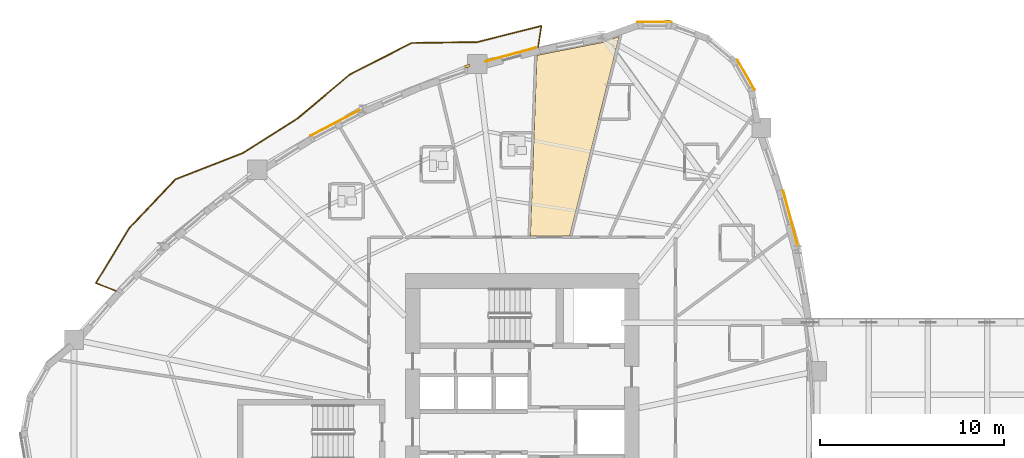
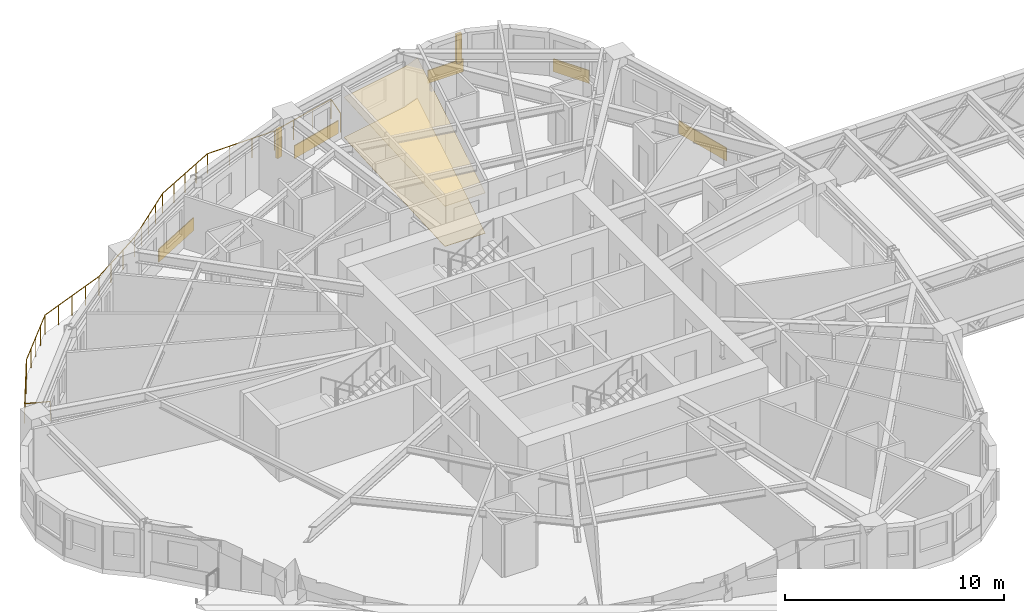
# One storey, part 17 of 18: 7 coverings, 2 shading devices, 1 railing.
"""IFC4 building model written with IfcOpenShell, lengths in metres."""

import ifcopenshell
import ifcopenshell.guid

model = None  # the IFC model being written
_history = None  # IfcOwnerHistory: only IFC2X3 demands one
_inside = {}  # id of a spatial element -> (the spatial element, [elements in it])
_under = {}  # id of a project, library or spatial element -> (it, [spatial elements below it])
_declared = {}  # id of a project -> (the project, [libraries it declares])
_typed = {}  # id of a type object -> (the type object, [elements of that type])
_made_of = {}  # id of a material, layer set ... -> (it, [elements and type objects made of it])


def new_model(schema):
    """Start an empty IFC model of exactly this schema.

    Asked for "IFC4X3", IfcOpenShell would pick the latest addendum, in which some entities
    have other attributes; the version numbers below select the first issue.
    IFC2X3 requires an IfcOwnerHistory on every rooted entity: one is made here for all.
    """
    global model, _history
    if schema == "IFC4X3":
        model = ifcopenshell.file(schema_version=(4, 3, 0, 0))
    else:
        model = ifcopenshell.file(schema=schema)
    _inside.clear()
    _under.clear()
    _declared.clear()
    _typed.clear()
    _made_of.clear()
    _history = None
    if model.schema == "IFC2X3":
        org = make("IfcOrganization", Name="unknown")
        user = make(
            "IfcPersonAndOrganization",
            ThePerson=make("IfcPerson", FamilyName="unknown"),
            TheOrganization=org,
        )
        app = make(
            "IfcApplication",
            ApplicationDeveloper=org,
            Version="unknown",
            ApplicationFullName="unknown",
            ApplicationIdentifier="unknown",
        )
        _history = make(
            "IfcOwnerHistory",
            OwningUser=user,
            OwningApplication=app,
            ChangeAction="ADDED",
            CreationDate=0,
        )
    return model


def make(cls, **values):
    """One entity of the class cls with the attributes given. An attribute that is None is left unset."""
    return model.create_entity(
        cls, **{name: value for name, value in values.items() if value is not None}
    )


def rooted(cls, **values):
    """An entity with a GlobalId (a new one), such as an element, a storey or a relation."""
    return make(cls, GlobalId=ifcopenshell.guid.new(), OwnerHistory=_history, **values)


def si_unit(unit_type, name, prefix=None):
    """IfcSIUnit, for example si_unit("LENGTHUNIT", "METRE", prefix="MILLI")."""
    return make("IfcSIUnit", UnitType=unit_type, Prefix=prefix, Name=name)


def assignment(units):
    """IfcUnitAssignment: the units of a project."""
    return None if units is None else make("IfcUnitAssignment", Units=units)


def point(xyz):
    """IfcCartesianPoint."""
    return None if xyz is None else make("IfcCartesianPoint", Coordinates=xyz)


def direction(xyz):
    """IfcDirection."""
    return None if xyz is None else make("IfcDirection", DirectionRatios=xyz)


def frame(location, z_axis=None, x_axis=None):
    """IfcAxis2Placement3D, a coordinate frame: its origin and axes. An axis left out is left unset."""
    return make(
        "IfcAxis2Placement3D",
        Location=point(location),
        Axis=direction(z_axis),
        RefDirection=direction(x_axis),
    )


def frame_2d(location, x_axis=None):
    """IfcAxis2Placement2D, a coordinate frame in the plane: its origin and x axis."""
    return make(
        "IfcAxis2Placement2D", Location=point(location), RefDirection=direction(x_axis)
    )


def origin():
    """The frame at (0, 0, 0) with its axes left unset."""
    return frame((0.0, 0.0, 0.0))


def origin_2d():
    """The frame at (0, 0) in the plane with its x axis left unset."""
    return frame_2d((0.0, 0.0))


def place(relative_to, where):
    """IfcLocalPlacement: puts the frame where relative to a parent placement (None: the world)."""
    return make(
        "IfcLocalPlacement", PlacementRelTo=relative_to, RelativePlacement=where
    )


def context(
    kind, dimensions, precision=None, world=None, true_north=None, identifier=None
):
    """IfcGeometricRepresentationContext, for example the 3D "Model" context."""
    return make(
        "IfcGeometricRepresentationContext",
        ContextIdentifier=identifier,
        ContextType=kind,
        CoordinateSpaceDimension=dimensions,
        Precision=precision,
        WorldCoordinateSystem=world,
        TrueNorth=true_north,
    )


def subcontext(parent, identifier, kind, view, scale=None):
    """IfcGeometricRepresentationSubContext, for example "Body" below "Model"."""
    return make(
        "IfcGeometricRepresentationSubContext",
        ContextIdentifier=identifier,
        ContextType=kind,
        ParentContext=parent,
        TargetScale=scale,
        TargetView=view,
    )


def project(units=None, contexts=None):
    """IfcProject with its units and contexts."""
    return rooted(
        "IfcProject",
        Name="project",
        RepresentationContexts=contexts,
        UnitsInContext=assignment(units),
    )


def spatial(cls, under=None, at=None, **own):
    """A site, building, storey or space (cls), placed at a placement, below another one or the project."""
    s = rooted(cls, ObjectPlacement=at, **own)
    if under is not None:
        _under.setdefault(under.id(), (under, []))[1].append(s)
    return s


def polyline(points):
    """IfcPolyline through the points."""
    return make("IfcPolyline", Points=[point(p) for p in points])


def profile(cls, at=None, kind="AREA", **sizes):
    """A parametric profile (cls). Its sizes go by their IFC names, for example OverallWidth=200.0."""
    return make(cls, ProfileType=kind, Position=at, **sizes)


def rectangle(**sizes):
    """IfcRectangleProfileDef."""
    return profile("IfcRectangleProfileDef", **sizes)


def circle(**sizes):
    """IfcCircleProfileDef."""
    return profile("IfcCircleProfileDef", **sizes)


def outline(outer, holes=None, kind="AREA"):
    """IfcArbitraryClosedProfileDef: a profile drawn as a closed curve; with holes, ...WithVoids."""
    if holes is None:
        return make("IfcArbitraryClosedProfileDef", ProfileType=kind, OuterCurve=outer)
    return make(
        "IfcArbitraryProfileDefWithVoids",
        ProfileType=kind,
        OuterCurve=outer,
        InnerCurves=holes,
    )


def extrude(swept, where, along, depth):
    """IfcExtrudedAreaSolid: the profile swept, set in the frame where, extruded along a direction by depth."""
    return make(
        "IfcExtrudedAreaSolid",
        SweptArea=swept,
        Position=where,
        ExtrudedDirection=direction(along),
        Depth=depth,
    )


def shape(context_of_items, identifier, shape_type, items):
    """IfcShapeRepresentation: the items that make up one representation, for example the "Body"."""
    return make(
        "IfcShapeRepresentation",
        ContextOfItems=context_of_items,
        RepresentationIdentifier=identifier,
        RepresentationType=shape_type,
        Items=items,
    )


def source(mapping_origin, context_of_items, identifier, shape_type, items):
    """IfcRepresentationMap: a shape defined once, which mapped items show again and again."""
    return make(
        "IfcRepresentationMap",
        MappingOrigin=mapping_origin,
        MappedRepresentation=shape(context_of_items, identifier, shape_type, items),
    )


def transform(
    local_origin,
    x_axis=None,
    y_axis=None,
    z_axis=None,
    scale=None,
    scale2=None,
    scale3=None,
    uniform=True,
):
    """IfcCartesianTransformationOperator3D, or its non-uniform kind. x_axis, y_axis, z_axis: its Axis1, 2, 3."""
    if uniform:
        return make(
            "IfcCartesianTransformationOperator3D",
            Axis1=direction(x_axis),
            Axis2=direction(y_axis),
            LocalOrigin=point(local_origin),
            Scale=scale,
            Axis3=direction(z_axis),
        )
    return make(
        "IfcCartesianTransformationOperator3DnonUniform",
        Axis1=direction(x_axis),
        Axis2=direction(y_axis),
        LocalOrigin=point(local_origin),
        Scale=scale,
        Axis3=direction(z_axis),
        Scale2=scale2,
        Scale3=scale3,
    )


def mapped(mapping_source, mapping_target):
    """IfcMappedItem: shows the shape of a source again, moved by a transform."""
    return make(
        "IfcMappedItem", MappingSource=mapping_source, MappingTarget=mapping_target
    )


def material(Name=None, Category=None):
    """IfcMaterial."""
    return make("IfcMaterial", Name=Name, Category=Category)


def layer(
    of_material, thickness, ventilated=None, Name=None, Category=None, Priority=None
):
    """IfcMaterialLayer: one layer of a wall or slab, of a material (None: an air gap)."""
    return make(
        "IfcMaterialLayer",
        Material=of_material,
        LayerThickness=thickness,
        IsVentilated=ventilated,
        Name=Name,
        Category=Category,
        Priority=Priority,
    )


def layer_set(layers, Name=None):
    """IfcMaterialLayerSet."""
    return make("IfcMaterialLayerSet", MaterialLayers=layers, LayerSetName=Name)


def made_of(thing, what):
    """Note that an element or type object is made of a material, layer set ...; save() writes the relation."""
    if what is not None:
        _made_of.setdefault(what.id(), (what, []))[1].append(thing)
    return thing


def type_object(cls, material=None, **own):
    """A type object (cls), such as IfcWallType, which elements share."""
    return made_of(rooted(cls, **own), material)


def element(
    cls,
    number,
    at=None,
    inside=None,
    cuts=None,
    type_object=None,
    material=None,
    context=None,
    identifier="Body",
    shape_type=None,
    held_by="IfcProductDefinitionShape",
    body=None,
    shapes=None,
    **own,
):
    """One element of the class cls, such as IfcWall. Its Tag is "e" and its number.

    at: its placement. inside: the storey or other place that contains it. cuts: it is an
    opening in that element (IfcRelVoidsElement). A single representation is given by context,
    identifier, shape_type and body (its items); several are given by shapes. held_by: the class
    of the entity that holds the representations. save() writes the other relations.
    """
    e = rooted(cls, Tag="e%d" % number, ObjectPlacement=at, **own)
    if body is not None:
        shapes = [shape(context, identifier, shape_type, body)]
    if shapes is not None:
        e.Representation = make(held_by, Representations=shapes)
    if inside is not None:
        _inside.setdefault(inside.id(), (inside, []))[1].append(e)
    if cuts is not None:
        rooted(
            "IfcRelVoidsElement", RelatingBuildingElement=cuts, RelatedOpeningElement=e
        )
    if type_object is not None:
        _typed.setdefault(type_object.id(), (type_object, []))[1].append(e)
    return made_of(e, material)


def aggregate(whole, parts):
    """IfcRelAggregates: a whole, such as a stair, and the parts it consists of."""
    return rooted("IfcRelAggregates", RelatingObject=whole, RelatedObjects=parts)


def save(model, path):
    """Write the relations noted so far, then the file.

    IfcRelAggregates (storeys below a building ...), IfcRelContainedInSpatialStructure (elements
    in a storey), IfcRelDefinesByType, IfcRelAssociatesMaterial and IfcRelDeclares: one each for
    every whole, place, type object, material and project.
    """
    for whole, parts in _under.values():
        aggregate(whole, parts)
    for where, things in _inside.values():
        rooted(
            "IfcRelContainedInSpatialStructure",
            RelatedElements=things,
            RelatingStructure=where,
        )
    for kind, things in _typed.values():
        rooted("IfcRelDefinesByType", RelatedObjects=things, RelatingType=kind)
    for what, things in _made_of.values():
        rooted("IfcRelAssociatesMaterial", RelatedObjects=things, RelatingMaterial=what)
    for by, libraries in _declared.values():
        rooted("IfcRelDeclares", RelatingContext=by, RelatedDefinitions=libraries)
    model.write(path)


model = new_model("IFC4")

# Units and contexts
model_context = context("Model", 3, precision=1e-05, world=origin(), true_north=direction((0.0, 1.0)))
body_context = subcontext(model_context, "Body", "Model", "MODEL_VIEW")
ifc_project = project(units=[si_unit("LENGTHUNIT", "METRE"), si_unit("AREAUNIT", "SQUARE_METRE"), si_unit("VOLUMEUNIT", "CUBIC_METRE"), si_unit("PLANEANGLEUNIT", "RADIAN"), si_unit("MASSUNIT", "GRAM", prefix="KILO")], contexts=[model_context])

# Site, building, storey
site_placement = place(None, origin())
site = spatial("IfcSite", under=ifc_project, at=site_placement, CompositionType="ELEMENT")
building_placement = place(site_placement, origin())
building = spatial("IfcBuilding", under=site, at=building_placement, Name="Qafzar Sky-Pleat Residences", CompositionType="ELEMENT")
storey_placement = place(building_placement, frame((0.0, 0.0, 27.0)))
storey = spatial("IfcBuildingStorey", under=building, at=storey_placement, Name="L07", CompositionType="ELEMENT", Elevation=27.0)

# Coverings
ifc_material_1 = material(Name="Perforated acoustic gypsum board ceiling")
ifc_layer_1 = layer(ifc_material_1, 0.02001953125)
ifc_layer_set_1 = layer_set([ifc_layer_1], Name="Perforated acoustic gypsum board ceiling")
covering_type_1 = type_object("IfcCoveringType", Name="COV-CEIL-ACOUSTIC", PredefinedType="CEILING", material=ifc_layer_set_1)
covering_1_placement = place(storey_placement, frame((0.0, 0.0, 2.239990234375)))
element("IfcCovering", 1, at=covering_1_placement, inside=storey, type_object=covering_type_1, Name="L07 Communal Kitchen Acoustic Ceiling", PredefinedType="CEILING", context=body_context, shape_type="SweptSolid", body=[
    extrude(outline(polyline([(34.752685546875, 47.1689453125), (35.615966796875, 47.483154296875), (32.927001953125, 36.639892578125), (30.796142578125, 36.639892578125), (31.152099609375, 46.44970703125), (31.306884765625, 46.49169921875), (34.752685546875, 47.1689453125)])), origin(), (0.0, 0.0, 1.0), 0.02001953125),
])
ifc_material_2 = material(Name="Honed porcelain and Riyadh stone tile flooring", Category="masonry")
ifc_layer_2 = layer(ifc_material_2, 0.02001953125)
ifc_layer_set_2 = layer_set([ifc_layer_2], Name="Honed porcelain and Riyadh stone tile flooring")
covering_type_2 = type_object("IfcCoveringType", Name="COV-FLR-PORCELAIN", PredefinedType="FLOORING", material=ifc_layer_set_2)
covering_2_placement = place(storey_placement, origin())
element("IfcCovering", 2, at=covering_2_placement, inside=storey, type_object=covering_type_2, Name="L07 Communal Kitchen Honed Stone Flooring", PredefinedType="FLOORING", context=body_context, shape_type="SweptSolid", body=[
    extrude(outline(polyline([(34.752685546875, 47.1689453125), (35.615966796875, 47.483154296875), (32.927001953125, 36.639892578125), (30.796142578125, 36.639892578125), (31.152099609375, 46.44970703125), (31.306884765625, 46.49169921875), (34.752685546875, 47.1689453125)])), origin(), (0.0, 0.0, 1.0), 0.02001953125),
])

# Shading devices
ifc_material_3 = material(Name="Honed Riyadh limestone solar fin", Category="masonry")
ifc_layer_3 = layer(ifc_material_3, 0.139892578125)
ifc_layer_set_3 = layer_set([ifc_layer_3], Name="Honed Riyadh limestone solar fin")
shading_device_type = type_object("IfcShadingDeviceType", Name="SHD-FIN-STONE", PredefinedType="SHUTTER", material=ifc_layer_set_3)
shared_shape_1 = source(origin(), body_context, "Body", "SweptSolid", [
    extrude(rectangle(XDim=0.139892578125, YDim=0.280029296875, at=origin_2d()), origin(), (0.0, 0.0, 1.0), 1.60009765625),
])
for number, where, z_axis, x_axis, name in (
    (3, (38.25, 48.309326171875, 0.599853515625), (0.0, 0.0, 1.0), (0.0, 1.0, 0.0), "L07 Limestone Solar Fin 37"),
    (4, (27.375732421875, 45.871337890625, 0.599853515625), (0.0, 0.0, 1.0), (-0.329566810973, 0.944132256151, 0.0), "L07 Limestone Solar Fin 41"),
):
    element("IfcShadingDevice", number, at=place(storey_placement, frame(where, z_axis=z_axis, x_axis=x_axis)), inside=storey, type_object=shading_device_type, Name=name, PredefinedType="SHUTTER", context=body_context, shape_type="MappedRepresentation", body=[
        mapped(shared_shape_1, transform((0.0, 0.0, 0.0), x_axis=(1.0, 0.0, 0.0), y_axis=(0.0, 1.0, 0.0), z_axis=(0.0, 0.0, 1.0), scale=1.0)),
    ])

# Coverings
ifc_material_4 = material(Name="Honed Riyadh Tuwaiq limestone cladding", Category="masonry")
ifc_layer_4 = layer(ifc_material_4, 0.044921875)
ifc_layer_set_4 = layer_set([ifc_layer_4], Name="Honed Riyadh Tuwaiq limestone cladding")
covering_type_3 = type_object("IfcCoveringType", Name="COV-CLAD-STONE", PredefinedType="CLADDING", material=ifc_layer_set_4)
shared_shape_2 = source(origin(), body_context, "Body", "SweptSolid", [
    extrude(rectangle(XDim=1.88134765625, YDim=0.044921875, at=origin_2d()), origin(), (0.0, 0.0, 1.0), 0.719970703125),
])
for number, where, z_axis, x_axis, name in (
    (5, (42.5107421875, 45.3994140625, 0.02001953125), (0.0, 0.0, 1.0), (-0.499972303345, 0.866041393865, 0.0), "L07 Riyadh Limestone Spandrel Cladding 34"),
    (6, (37.544921875, 48.266357421875, 0.02001953125), (0.0, 0.0, 1.0), (-1.0, 0.0, 0.0), "L07 Riyadh Limestone Spandrel Cladding 37"),
):
    element("IfcCovering", number, at=place(storey_placement, frame(where, z_axis=z_axis, x_axis=x_axis)), inside=storey, type_object=covering_type_3, Name=name, PredefinedType="CLADDING", context=body_context, shape_type="MappedRepresentation", body=[
        mapped(shared_shape_2, transform((0.0, 0.0, 0.0), x_axis=(1.0, 0.0, 0.0), y_axis=(0.0, 1.0, 0.0), z_axis=(0.0, 0.0, 1.0), scale=1.0)),
    ])

# Railing
ifc_material_5 = material(Name="Laminated glass and bronze steel balustrade", Category="steel")
railing_type = type_object("IfcRailingType", Name="RAIL-BAL-1100", PredefinedType="BALUSTRADE", material=ifc_material_5)
shared_shape_3 = source(origin(), body_context, "Body", "SweptSolid", [
    extrude(circle(Radius=0.02392578125, at=origin_2d()), frame((0.0, 0.0, 1.076171875), z_axis=(0.152119477922, 0.988362112, 0.0), x_axis=(-0.988362112, 0.152119477922, 0.0)), (0.0, 0.0, 1.0), 1.177978515625),
    extrude(circle(Radius=0.02392578125, at=origin_2d()), frame((0.17919921875, 1.164306640625, 1.076171875), z_axis=(-0.969794268424, -0.243924326242, 0.0), x_axis=(0.243924326242, -0.969794268424, 0.0)), (0.0, 0.0, 1.0), 3.59814453125),
    extrude(circle(Radius=0.02392578125, at=origin_2d()), frame((-3.310302734375, 0.28662109375, 1.076171875), z_axis=(-0.999902236861, -0.013982729389, 0.0), x_axis=(0.013982729389, -0.999902236861, 0.0)), (0.0, 0.0, 1.0), 3.561767578125),
    extrude(circle(Radius=0.02392578125, at=origin_2d()), frame((-6.871826171875, 0.23681640625, 1.076171875), z_axis=(-0.890602457087, -0.454782655156, 0.0), x_axis=(0.454782655156, -0.890602457087, 0.0)), (0.0, 0.0, 1.0), 3.74658203125),
    extrude(circle(Radius=0.02392578125, at=origin_2d()), frame((-10.20849609375, -1.467041015625, 1.076171875), z_axis=(-0.766473267475, -0.642276210245, 0.0), x_axis=(0.642276210245, -0.766473267475, 0.0)), (0.0, 0.0, 1.0), 3.71533203125),
    extrude(circle(Radius=0.02392578125, at=origin_2d()), frame((-13.05615234375, -3.853271484375, 1.076171875), z_axis=(-0.844776229724, -0.535119726504, 0.0), x_axis=(0.535119726504, -0.844776229724, 0.0)), (0.0, 0.0, 1.0), 3.520263671875),
    extrude(circle(Radius=0.02392578125, at=origin_2d()), frame((-16.030029296875, -5.737060546875, 1.076171875), z_axis=(-0.931702298769, -0.363222833076, 0.0), x_axis=(0.363222833076, -0.931702298769, 0.0)), (0.0, 0.0, 1.0), 3.9287109375),
    extrude(circle(Radius=0.02392578125, at=origin_2d()), frame((-19.6904296875, -7.1640625, 1.076171875), z_axis=(-0.687520611705, -0.726164863155, 0.0), x_axis=(0.726164863155, -0.687520611705, 0.0)), (0.0, 0.0, 1.0), 3.657958984375),
    extrude(circle(Radius=0.02392578125, at=origin_2d()), frame((-22.205322265625, -9.8203125, 1.076171875), z_axis=(-0.51910211964, -0.854712226065, 0.0), x_axis=(0.854712226065, -0.51910211964, 0.0)), (0.0, 0.0, 1.0), 3.493896484375),
    extrude(circle(Radius=0.02392578125, at=origin_2d()), frame((-24.01904296875, -12.806640625, 1.076171875), z_axis=(0.932063004359, -0.362296226733, 0.0), x_axis=(0.362296226733, 0.932063004359, 0.0)), (0.0, 0.0, 1.0), 1.177978515625),
    extrude(circle(Radius=0.02099609375, at=origin_2d()), origin(), (0.0, 0.0, 1.0), 1.052001953125),
    extrude(circle(Radius=0.02099609375, at=origin_2d()), frame((0.17919921875, 1.164306640625, 0.0)), (0.0, 0.0, 1.0), 1.052001953125),
    extrude(circle(Radius=0.02099609375, at=origin_2d()), frame((-0.98388671875, 0.871826171875, 0.0)), (0.0, 0.0, 1.0), 1.052001953125),
    extrude(circle(Radius=0.02099609375, at=origin_2d()), frame((-2.147216796875, 0.5791015625, 0.0)), (0.0, 0.0, 1.0), 1.052001953125),
    extrude(circle(Radius=0.02099609375, at=origin_2d()), frame((-3.310302734375, 0.28662109375, 0.0)), (0.0, 0.0, 1.0), 1.052001953125),
    extrude(circle(Radius=0.02099609375, at=origin_2d()), frame((-4.49755859375, 0.27001953125, 0.0)), (0.0, 0.0, 1.0), 1.052001953125),
    extrude(circle(Radius=0.02099609375, at=origin_2d()), frame((-5.6845703125, 0.25341796875, 0.0)), (0.0, 0.0, 1.0), 1.052001953125),
    extrude(circle(Radius=0.02099609375, at=origin_2d()), frame((-6.871826171875, 0.23681640625, 0.0)), (0.0, 0.0, 1.0), 1.052001953125),
    extrude(circle(Radius=0.02099609375, at=origin_2d()), frame((-7.7060546875, -0.189208984375, 0.0)), (0.0, 0.0, 1.0), 1.052001953125),
    extrude(circle(Radius=0.02099609375, at=origin_2d()), frame((-8.5400390625, -0.615234375, 0.0)), (0.0, 0.0, 1.0), 1.052001953125),
    extrude(circle(Radius=0.02099609375, at=origin_2d()), frame((-9.374267578125, -1.041015625, 0.0)), (0.0, 0.0, 1.0), 1.052001953125),
    extrude(circle(Radius=0.02099609375, at=origin_2d()), frame((-10.20849609375, -1.467041015625, 0.0)), (0.0, 0.0, 1.0), 1.052001953125),
    extrude(circle(Radius=0.02099609375, at=origin_2d()), frame((-10.92041015625, -2.0634765625, 0.0)), (0.0, 0.0, 1.0), 1.052001953125),
    extrude(circle(Radius=0.02099609375, at=origin_2d()), frame((-11.63232421875, -2.66015625, 0.0)), (0.0, 0.0, 1.0), 1.052001953125),
    extrude(circle(Radius=0.02099609375, at=origin_2d()), frame((-12.34423828125, -3.2568359375, 0.0)), (0.0, 0.0, 1.0), 1.052001953125),
    extrude(circle(Radius=0.02099609375, at=origin_2d()), frame((-13.05615234375, -3.853271484375, 0.0)), (0.0, 0.0, 1.0), 1.052001953125),
    extrude(circle(Radius=0.02099609375, at=origin_2d()), frame((-14.04736328125, -4.481201171875, 0.0)), (0.0, 0.0, 1.0), 1.052001953125),
    extrude(circle(Radius=0.02099609375, at=origin_2d()), frame((-15.038818359375, -5.109130859375, 0.0)), (0.0, 0.0, 1.0), 1.052001953125),
    extrude(circle(Radius=0.02099609375, at=origin_2d()), frame((-16.030029296875, -5.737060546875, 0.0)), (0.0, 0.0, 1.0), 1.052001953125),
    extrude(circle(Radius=0.02099609375, at=origin_2d()), frame((-16.945068359375, -6.09375, 0.0)), (0.0, 0.0, 1.0), 1.052001953125),
    extrude(circle(Radius=0.02099609375, at=origin_2d()), frame((-17.8603515625, -6.45068359375, 0.0)), (0.0, 0.0, 1.0), 1.052001953125),
    extrude(circle(Radius=0.02099609375, at=origin_2d()), frame((-18.775390625, -6.807373046875, 0.0)), (0.0, 0.0, 1.0), 1.052001953125),
    extrude(circle(Radius=0.02099609375, at=origin_2d()), frame((-19.6904296875, -7.1640625, 0.0)), (0.0, 0.0, 1.0), 1.052001953125),
    extrude(circle(Radius=0.02099609375, at=origin_2d()), frame((-20.319091796875, -7.828125, 0.0)), (0.0, 0.0, 1.0), 1.052001953125),
    extrude(circle(Radius=0.02099609375, at=origin_2d()), frame((-20.94775390625, -8.4921875, 0.0)), (0.0, 0.0, 1.0), 1.052001953125),
    extrude(circle(Radius=0.02099609375, at=origin_2d()), frame((-21.57666015625, -9.15625, 0.0)), (0.0, 0.0, 1.0), 1.052001953125),
    extrude(circle(Radius=0.02099609375, at=origin_2d()), frame((-22.205322265625, -9.8203125, 0.0)), (0.0, 0.0, 1.0), 1.052001953125),
    extrude(circle(Radius=0.02099609375, at=origin_2d()), frame((-22.809814453125, -10.815673828125, 0.0)), (0.0, 0.0, 1.0), 1.052001953125),
    extrude(circle(Radius=0.02099609375, at=origin_2d()), frame((-23.41455078125, -11.811279296875, 0.0)), (0.0, 0.0, 1.0), 1.052001953125),
    extrude(circle(Radius=0.02099609375, at=origin_2d()), frame((-24.01904296875, -12.806640625, 0.0)), (0.0, 0.0, 1.0), 1.052001953125),
    extrude(circle(Radius=0.02099609375, at=origin_2d()), frame((-22.921142578125, -13.2333984375, 0.0)), (0.0, 0.0, 1.0), 1.052001953125),
])
railing_placement = place(storey_placement, frame((31.218017578125, 46.893310546875, 0.0)))
element("IfcRailing", 7, at=railing_placement, inside=storey, type_object=railing_type, Name="L07 Pleated Balcony 1 Balustrade", PredefinedType="BALUSTRADE", context=body_context, shape_type="MappedRepresentation", body=[
    mapped(shared_shape_3, transform((0.0, 0.0, 0.0), x_axis=(1.0, 0.0, 0.0), y_axis=(0.0, 1.0, 0.0), z_axis=(0.0, 0.0, 1.0), scale=1.0)),
])

# Coverings
shared_shape_4 = source(origin(), body_context, "Body", "SweptSolid", [
    extrude(rectangle(XDim=3.095458984375, YDim=0.044921875, at=origin_2d()), origin(), (0.0, 0.0, 1.0), 0.719970703125),
])
covering_3_placement = place(storey_placement, frame((44.92919921875, 37.606201171875, 0.02001953125), z_axis=(0.0, 0.0, 1.0), x_axis=(-0.257052746506, 0.966397374538, 0.0)))
element("IfcCovering", 8, at=covering_3_placement, inside=storey, type_object=covering_type_3, Name="L07 Riyadh Limestone Spandrel Cladding 31", PredefinedType="CLADDING", context=body_context, shape_type="MappedRepresentation", body=[
    mapped(shared_shape_4, transform((0.0, 0.0, 0.0), x_axis=(1.0, 0.0, 0.0), y_axis=(0.0, 1.0, 0.0), z_axis=(0.0, 0.0, 1.0), scale=1.0)),
])
shared_shape_5 = source(origin(), body_context, "Body", "SweptSolid", [
    extrude(rectangle(XDim=2.843505859375, YDim=0.044921875, at=origin_2d()), origin(), (0.0, 0.0, 1.0), 0.719970703125),
])
covering_4_placement = place(storey_placement, frame((29.721923828125, 46.5009765625, 0.02001953125), z_axis=(0.0, 0.0, 1.0), x_axis=(-0.965461572029, -0.260545491106, 0.0)))
element("IfcCovering", 9, at=covering_4_placement, inside=storey, type_object=covering_type_3, Name="L07 Riyadh Limestone Spandrel Cladding 40", PredefinedType="CLADDING", context=body_context, shape_type="MappedRepresentation", body=[
    mapped(shared_shape_5, transform((0.0, 0.0, 0.0), x_axis=(1.0, 0.0, 0.0), y_axis=(0.0, 1.0, 0.0), z_axis=(0.0, 0.0, 1.0), scale=1.0)),
])
shared_shape_6 = source(origin(), body_context, "Body", "SweptSolid", [
    extrude(rectangle(XDim=2.994140625, YDim=0.044921875, at=origin_2d()), origin(), (0.0, 0.0, 1.0), 0.719970703125),
])
covering_5_placement = place(storey_placement, frame((20.18408203125, 42.78759765625, 0.02001953125), z_axis=(0.0, 0.0, 1.0), x_axis=(-0.884388199509, -0.466752088983, 0.0)))
element("IfcCovering", 10, at=covering_5_placement, inside=storey, type_object=covering_type_3, Name="L07 Riyadh Limestone Spandrel Cladding 43", PredefinedType="CLADDING", context=body_context, shape_type="MappedRepresentation", body=[
    mapped(shared_shape_6, transform((0.0, 0.0, 0.0), x_axis=(1.0, 0.0, 0.0), y_axis=(0.0, 1.0, 0.0), z_axis=(0.0, 0.0, 1.0), scale=1.0)),
])

save(model, "model.ifc")
